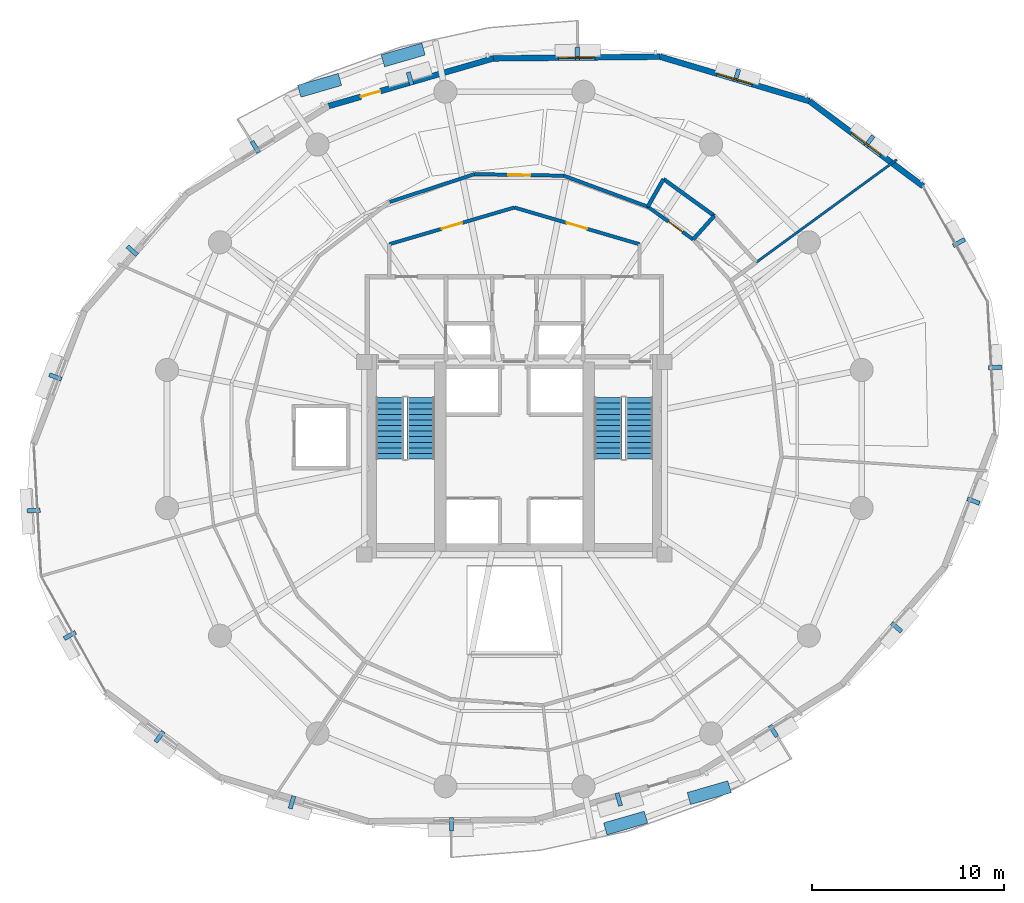
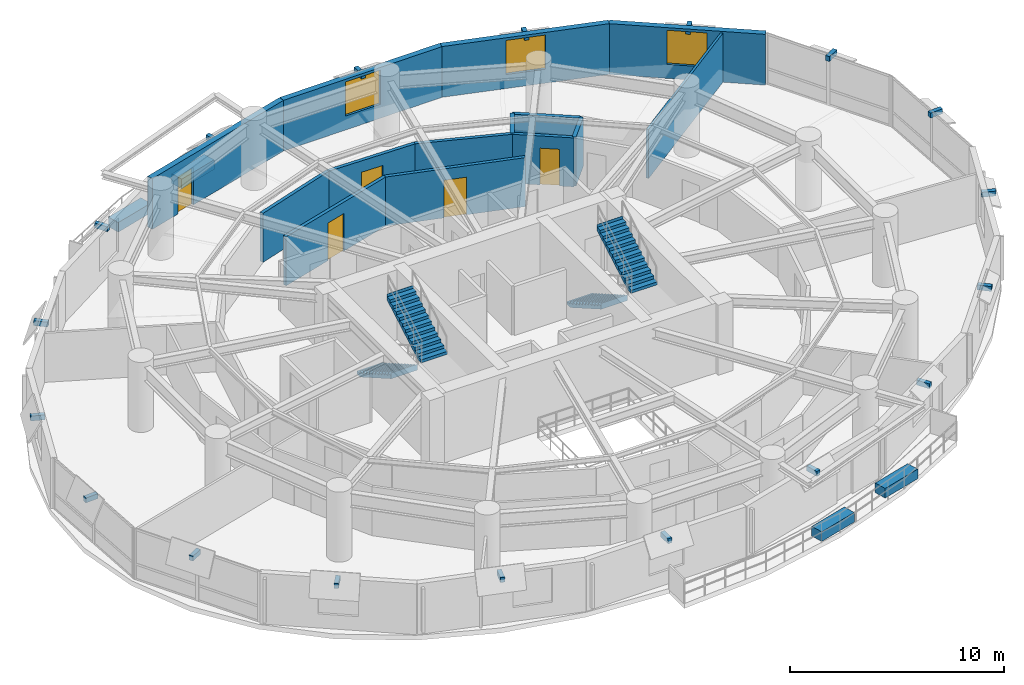
# One storey, part 12 of 15: 22 discrete accessories, 14 walls, 5 doors, 4 stair flights, 3 windows, 8 openings, 2 elements without a shape of their own.
"""IFC4 building model written with IfcOpenShell, lengths in metres."""

from ifc_helpers import new_model, si_unit, direction, frame, frame_2d, origin, origin_2d, place, context, subcontext, project, spatial, polyline, rectangle, outline, extrude, material, layer, layer_set, type_object, element, fill, aggregate, save


model = new_model("IFC4")

# Units and contexts
model_context = context("Model", 3, precision=1e-05, world=origin(), true_north=direction((0.0, 1.0)))
body_context = subcontext(model_context, "Body", "Model", "MODEL_VIEW")
ifc_project = project(units=[si_unit("LENGTHUNIT", "METRE"), si_unit("AREAUNIT", "SQUARE_METRE"), si_unit("VOLUMEUNIT", "CUBIC_METRE"), si_unit("PLANEANGLEUNIT", "RADIAN"), si_unit("MASSUNIT", "GRAM", prefix="KILO"), si_unit("THERMODYNAMICTEMPERATUREUNIT", "KELVIN"), si_unit("POWERUNIT", "WATT")], contexts=[model_context])

# Site, building, storey
site_placement = place(None, origin())
site = spatial("IfcSite", under=ifc_project, at=site_placement, CompositionType="ELEMENT")
building_placement = place(site_placement, origin())
building = spatial("IfcBuilding", under=site, at=building_placement, Name="Ocrelia Relay Tower", CompositionType="ELEMENT")
storey_placement = place(building_placement, frame((0.0, 0.0, 101.800048828125)))
storey = spatial("IfcBuildingStorey", under=building, at=storey_placement, Name="L23", CompositionType="ELEMENT", Elevation=101.800048828125)

# Wall, opening, door
ifc_material_1 = material(Name="Gypsum Fireboard Partition EI60", Category="gypsum")
ifc_layer_1 = layer(ifc_material_1, 0.179931640625, Name="Gypsum Fireboard Partition EI60")
ifc_layer_set_1 = layer_set([ifc_layer_1], Name="Gypsum Fireboard Partition EI60")
wall_type_1 = type_object("IfcWallType", Name="W-CORR-EI60-180", PredefinedType="PARTITIONING", material=ifc_layer_set_1)
wall_1_placement = place(storey_placement, frame((27.5, 36.122802734375, 0.0), z_axis=(0.0, 0.0, 1.0), x_axis=(0.959546654541, 0.281549671923, 0.0)))
wall_1 = element("IfcWall", 1, at=wall_1_placement, inside=storey, type_object=wall_type_1, Name="L23 North Smoke Lobby W Screen Wall", PredefinedType="PARTITIONING", context=body_context, shape_type="SweptSolid", body=[
    extrude(rectangle(XDim=6.77392578125, YDim=0.179931640625, at=frame_2d((3.386962890625, 0.0))), origin(), (0.0, 0.0, 1.0), 2.800048828125),
])
opening_1_placement = place(wall_1_placement, frame((2.8369140625, 0.0, 0.0)))
opening_1 = element("IfcOpeningElement", 2, at=opening_1_placement, cuts=wall_1, Name="Opening D-FD60", PredefinedType="OPENING", context=body_context, shape_type="SweptSolid", body=[
    extrude(rectangle(XDim=1.10009765625, YDim=2.14990234375, at=frame_2d((0.550048828125, 1.074951171875))), frame((0.0, 0.10009765625, 0.0), z_axis=(0.0, -1.0, 0.0), x_axis=(1.0, 0.0, 0.0)), (0.0, 0.0, 1.0), 0.199951171875),
])
ifc_material_2 = material(Name="Timber-core 60-min acoustic fire door", Category="wood")
door_type_1 = type_object("IfcDoorType", Name="DR-LOBBY-FD60-1100", OperationType="NOTDEFINED", PredefinedType="DOOR", material=ifc_material_2)
door_1_placement = place(opening_1_placement, origin())
door_1 = element("IfcDoor", 3, at=door_1_placement, inside=storey, type_object=door_type_1, Name="L23 North Smoke Lobby W Fire Door", OperationType="SINGLE_SWING_LEFT", OverallHeight=2.14990234375, OverallWidth=1.10009765625, PredefinedType="DOOR", context=body_context, shape_type="SweptSolid", body=[
    extrude(rectangle(XDim=1.10009765625, YDim=2.14990234375, at=frame_2d((0.550048828125, 1.074951171875))), frame((0.0, 0.02490234375, 0.0), z_axis=(0.0, -1.0, 0.0), x_axis=(1.0, 0.0, 0.0)), (0.0, 0.0, 1.0), 0.050048828125),
])
fill(opening_1, door_1)

wall_2_placement = place(storey_placement, frame((34.0, 38.030029296875, 0.0), z_axis=(0.0, 0.0, 1.0), x_axis=(0.959546654541, -0.281549671923, 0.0)))
wall_2 = element("IfcWall", 4, at=wall_2_placement, inside=storey, type_object=wall_type_1, Name="L23 North Smoke Lobby E Screen Wall", PredefinedType="PARTITIONING", context=body_context, shape_type="SweptSolid", body=[
    extrude(rectangle(XDim=6.77392578125, YDim=0.179931640625, at=frame_2d((3.386962890625, 0.0))), origin(), (0.0, 0.0, 1.0), 2.800048828125),
])
opening_2_placement = place(wall_2_placement, frame((2.8369140625, 0.0, 0.0)))
opening_2 = element("IfcOpeningElement", 5, at=opening_2_placement, cuts=wall_2, Name="Opening D-FD60", PredefinedType="OPENING", context=body_context, shape_type="SweptSolid", body=[
    extrude(rectangle(XDim=1.10009765625, YDim=2.14990234375, at=frame_2d((0.550048828125, 1.074951171875))), frame((0.0, 0.10009765625, 0.0), z_axis=(0.0, -1.0, 0.0), x_axis=(1.0, 0.0, 0.0)), (0.0, 0.0, 1.0), 0.199951171875),
])
door_2_placement = place(opening_2_placement, origin())
door_2 = element("IfcDoor", 6, at=door_2_placement, inside=storey, type_object=door_type_1, Name="L23 North Smoke Lobby E Fire Door", OperationType="SINGLE_SWING_RIGHT", OverallHeight=2.14990234375, OverallWidth=1.10009765625, PredefinedType="DOOR", context=body_context, shape_type="SweptSolid", body=[
    extrude(rectangle(XDim=1.10009765625, YDim=2.14990234375, at=frame_2d((0.550048828125, 1.074951171875))), frame((0.0, 0.02490234375, 0.0), z_axis=(0.0, -1.0, 0.0), x_axis=(1.0, 0.0, 0.0)), (0.0, 0.0, 1.0), 0.050048828125),
])
fill(opening_2, door_2)

wall_3_placement = place(storey_placement, frame((43.287109375, 36.368896484375, 0.0), z_axis=(0.0, 0.0, 1.0), x_axis=(-0.81053540368, 0.585689644249, 0.0)))
wall_3 = element("IfcWall", 7, at=wall_3_placement, inside=storey, type_object=wall_type_1, Name="L23 Accessible Toilet Corridor Wall", PredefinedType="PARTITIONING", context=body_context, shape_type="SweptSolid", body=[
    extrude(rectangle(XDim=2.909912109375, YDim=0.179931640625, at=frame_2d((1.455078125, 0.0))), origin(), (0.0, 0.0, 1.0), 2.800048828125),
])
opening_3_placement = place(wall_3_placement, frame((0.6689453125, 0.0, 0.0)))
opening_3 = element("IfcOpeningElement", 8, at=opening_3_placement, cuts=wall_3, Name="Opening D-WC92", PredefinedType="OPENING", context=body_context, shape_type="SweptSolid", body=[
    extrude(rectangle(XDim=0.919921875, YDim=2.10009765625, at=frame_2d((0.4599609375, 1.050048828125))), frame((0.0, 0.10009765625, 0.0), z_axis=(0.0, -1.0, 0.0), x_axis=(1.0, 0.0, 0.0)), (0.0, 0.0, 1.0), 0.199951171875),
])
ifc_material_3 = material(Name="Laminate washroom door", Category="wood")
door_type_2 = type_object("IfcDoorType", Name="DR-WC-920", OperationType="NOTDEFINED", PredefinedType="DOOR", material=ifc_material_3)
door_3_placement = place(opening_3_placement, origin())
door_3 = element("IfcDoor", 9, at=door_3_placement, inside=storey, type_object=door_type_2, Name="L23 Accessible Toilet Door", OperationType="SINGLE_SWING_RIGHT", OverallHeight=2.10009765625, OverallWidth=0.919921875, PredefinedType="DOOR", context=body_context, shape_type="SweptSolid", body=[
    extrude(rectangle(XDim=0.919921875, YDim=2.10009765625, at=frame_2d((0.4599609375, 1.050048828125))), frame((0.0, 0.02490234375, 0.0), z_axis=(0.0, -1.0, 0.0), x_axis=(1.0, 0.0, 0.0)), (0.0, 0.0, 1.0), 0.050048828125),
])
fill(opening_3, door_3)

# Wall
wall_4_placement = place(storey_placement, frame((40.928466796875, 38.0732421875, 0.0), z_axis=(0.0, 0.0, 1.0), x_axis=(-0.93819579776, 0.346104962496, 0.0)))
element("IfcWall", 10, at=wall_4_placement, inside=storey, type_object=wall_type_1, Name="L23 Optical Switching Hall A Corridor Partition 1", PredefinedType="PARTITIONING", context=body_context, shape_type="SweptSolid", body=[
    extrude(rectangle(XDim=4.642822265625, YDim=0.179931640625, at=frame_2d((2.3212890625, 0.0))), origin(), (0.0, 0.0, 1.0), 2.800048828125),
])

# Wall, opening, door
wall_5_placement = place(storey_placement, frame((36.572509765625, 39.68017578125, 0.0), z_axis=(0.0, 0.0, 1.0), x_axis=(-0.999831591441, 0.01835180527, 0.0)))
wall_5 = element("IfcWall", 11, at=wall_5_placement, inside=storey, type_object=wall_type_1, Name="L23 Optical Switching Hall A Corridor Partition 2", PredefinedType="PARTITIONING", context=body_context, shape_type="SweptSolid", body=[
    extrude(rectangle(XDim=4.642822265625, YDim=0.179931640625, at=frame_2d((2.3212890625, 0.0))), origin(), (0.0, 0.0, 1.0), 2.800048828125),
])
opening_4_placement = place(wall_5_placement, frame((1.746337890625, 0.0, 0.0)))
opening_4 = element("IfcOpeningElement", 12, at=opening_4_placement, cuts=wall_5, Name="Opening D-RM115", PredefinedType="OPENING", context=body_context, shape_type="SweptSolid", body=[
    extrude(rectangle(XDim=1.14990234375, YDim=2.14990234375, at=frame_2d((0.574951171875, 1.074951171875))), frame((0.0, 0.10009765625, 0.0), z_axis=(0.0, -1.0, 0.0), x_axis=(1.0, 0.0, 0.0)), (0.0, 0.0, 1.0), 0.199951171875),
])
ifc_material_4 = material(Name="Wide acoustic oak veneer fire door", Category="wood")
door_type_3 = type_object("IfcDoorType", Name="DR-ROOM-1150", OperationType="NOTDEFINED", PredefinedType="DOOR", material=ifc_material_4)
door_4_placement = place(opening_4_placement, origin())
door_4 = element("IfcDoor", 13, at=door_4_placement, inside=storey, type_object=door_type_3, Name="L23 Optical Switching Hall A Entrance Door", OperationType="SINGLE_SWING_LEFT", OverallHeight=2.14990234375, OverallWidth=1.14990234375, PredefinedType="DOOR", context=body_context, shape_type="SweptSolid", body=[
    extrude(rectangle(XDim=1.14990234375, YDim=2.14990234375, at=frame_2d((0.574951171875, 1.074951171875))), frame((0.0, 0.02490234375, 0.0), z_axis=(0.0, -1.0, 0.0), x_axis=(1.0, 0.0, 0.0)), (0.0, 0.0, 1.0), 0.050048828125),
])
fill(opening_4, door_4)

# Wall
wall_6_placement = place(storey_placement, frame((31.930419921875, 39.765380859375, 0.0), z_axis=(0.0, 0.0, 1.0), x_axis=(-0.95024383116, -0.311507080726, 0.0)))
element("IfcWall", 14, at=wall_6_placement, inside=storey, type_object=wall_type_1, Name="L23 Optical Switching Hall A Corridor Partition 3", PredefinedType="PARTITIONING", context=body_context, shape_type="SweptSolid", body=[
    extrude(rectangle(XDim=4.642822265625, YDim=0.179931640625, at=frame_2d((2.3212890625, 0.0))), origin(), (0.0, 0.0, 1.0), 2.800048828125),
])

# Wall, opening, window
ifc_material_5 = material(Name="Precast concrete C40/50 with oxide terracotta", Category="masonry")
ifc_layer_2 = layer(ifc_material_5, 0.300048828125, Name="Precast concrete C40/50 with oxide terracotta")
ifc_layer_set_2 = layer_set([ifc_layer_2], Name="Precast concrete C40/50 with oxide terracotta")
wall_type_2 = type_object("IfcWallType", Name="W-EXT-TERR-300", PredefinedType="SOLIDWALL", material=ifc_layer_set_2)
wall_7_placement = place(storey_placement, frame((55.2421875, 39.13037109375, 0.0), z_axis=(0.0, 0.0, 1.0), x_axis=(-0.80042041599, 0.599439035821, 0.0)))
wall_7 = element("IfcWall", 15, at=wall_7_placement, inside=storey, type_object=wall_type_2, Name="L23 Oxide Terracotta Facade Wall 02", PredefinedType="SOLIDWALL", context=body_context, shape_type="SweptSolid", body=[
    extrude(rectangle(XDim=7.38330078125, YDim=0.300048828125, at=frame_2d((3.691650390625, 0.0))), origin(), (0.0, 0.0, 1.0), 2.89990234375),
])
opening_5_placement = place(wall_7_placement, frame((2.741943359375, 0.0, 0.800048828125)))
opening_5 = element("IfcOpeningElement", 16, at=opening_5_placement, cuts=wall_7, Name="Opening W-06", PredefinedType="OPENING", context=body_context, shape_type="SweptSolid", body=[
    extrude(rectangle(XDim=1.89990234375, YDim=1.949951171875, at=frame_2d((0.949951171875, 0.97509765625))), frame((0.0, 0.16015625, 0.0), z_axis=(0.0, -1.0, 0.0), x_axis=(1.0, 0.0, 0.0)), (0.0, 0.0, 1.0), 0.320068359375),
])
ifc_material_6 = material(Name="Clear double-glazed low-E glass", Category="glass")
window_type = type_object("IfcWindowType", Name="WIN-Z2-1900x2100", PartitioningType="DOUBLE_PANEL_VERTICAL", PredefinedType="WINDOW", material=ifc_material_6)
window_1_placement = place(opening_5_placement, origin())
window_1 = element("IfcWindow", 17, at=window_1_placement, inside=storey, type_object=window_type, Name="L23 Facade Module Window 02", OverallHeight=1.949951171875, OverallWidth=1.89990234375, PartitioningType="SINGLE_PANEL", PredefinedType="WINDOW", context=body_context, shape_type="SweptSolid", body=[
    extrude(rectangle(XDim=1.89990234375, YDim=1.949951171875, at=frame_2d((0.949951171875, 0.97509765625))), frame((0.0, 0.030029296875, 0.0), z_axis=(0.0, -1.0, 0.0), x_axis=(1.0, 0.0, 0.0)), (0.0, 0.0, 1.0), 0.06005859375),
])
fill(opening_5, window_1)

wall_8_placement = place(storey_placement, frame((49.33251953125, 43.55615234375, 0.0), z_axis=(0.0, 0.0, 1.0), x_axis=(-0.958482012245, 0.285152997885, 0.0)))
wall_8 = element("IfcWall", 18, at=wall_8_placement, inside=storey, type_object=wall_type_2, Name="L23 Oxide Terracotta Facade Wall 03", PredefinedType="SOLIDWALL", context=body_context, shape_type="SweptSolid", body=[
    extrude(rectangle(XDim=8.09521484375, YDim=0.300048828125, at=frame_2d((4.047607421875, 0.0))), origin(), (0.0, 0.0, 1.0), 2.89990234375),
])
opening_6_placement = place(wall_8_placement, frame((3.097900390625, 0.0, 0.800048828125)))
opening_6 = element("IfcOpeningElement", 19, at=opening_6_placement, cuts=wall_8, Name="Opening W-06", PredefinedType="OPENING", context=body_context, shape_type="SweptSolid", body=[
    extrude(rectangle(XDim=1.89990234375, YDim=1.949951171875, at=frame_2d((0.949951171875, 0.97509765625))), frame((0.0, 0.16015625, 0.0), z_axis=(0.0, -1.0, 0.0), x_axis=(1.0, 0.0, 0.0)), (0.0, 0.0, 1.0), 0.320068359375),
])
window_2_placement = place(opening_6_placement, origin())
window_2 = element("IfcWindow", 20, at=window_2_placement, inside=storey, type_object=window_type, Name="L23 Facade Module Window 03", OverallHeight=1.949951171875, OverallWidth=1.89990234375, PartitioningType="SINGLE_PANEL", PredefinedType="WINDOW", context=body_context, shape_type="SweptSolid", body=[
    extrude(rectangle(XDim=1.89990234375, YDim=1.949951171875, at=frame_2d((0.949951171875, 0.97509765625))), frame((0.0, 0.030029296875, 0.0), z_axis=(0.0, -1.0, 0.0), x_axis=(1.0, 0.0, 0.0)), (0.0, 0.0, 1.0), 0.06005859375),
])
fill(opening_6, window_2)

wall_9_placement = place(storey_placement, frame((41.573486328125, 45.864501953125, 0.0), z_axis=(0.0, 0.0, 1.0), x_axis=(-0.999949221051, -0.010077465899, 0.0)))
wall_9 = element("IfcWall", 21, at=wall_9_placement, inside=storey, type_object=wall_type_2, Name="L23 Oxide Terracotta Facade Wall 04", PredefinedType="SOLIDWALL", context=body_context, shape_type="SweptSolid", body=[
    extrude(rectangle(XDim=8.673095703125, YDim=0.300048828125, at=frame_2d((4.33642578125, 0.0))), origin(), (0.0, 0.0, 1.0), 2.89990234375),
])
opening_7_placement = place(wall_9_placement, frame((3.385986328125, 0.0, 0.800048828125)))
opening_7 = element("IfcOpeningElement", 22, at=opening_7_placement, cuts=wall_9, Name="Opening W-06", PredefinedType="OPENING", context=body_context, shape_type="SweptSolid", body=[
    extrude(rectangle(XDim=1.89990234375, YDim=1.949951171875, at=frame_2d((0.949951171875, 0.97509765625))), frame((0.0, 0.16015625, 0.0), z_axis=(0.0, -1.0, 0.0), x_axis=(1.0, 0.0, 0.0)), (0.0, 0.0, 1.0), 0.320068359375),
])
window_3_placement = place(opening_7_placement, origin())
window_3 = element("IfcWindow", 23, at=window_3_placement, inside=storey, type_object=window_type, Name="L23 Facade Module Window 04", OverallHeight=1.949951171875, OverallWidth=1.89990234375, PartitioningType="SINGLE_PANEL", PredefinedType="WINDOW", context=body_context, shape_type="SweptSolid", body=[
    extrude(rectangle(XDim=1.89990234375, YDim=1.949951171875, at=frame_2d((0.949951171875, 0.97509765625))), frame((0.0, 0.030029296875, 0.0), z_axis=(0.0, -1.0, 0.0), x_axis=(1.0, 0.0, 0.0)), (0.0, 0.0, 1.0), 0.06005859375),
])
fill(opening_7, window_3)

# Wall, opening, door
wall_10_placement = place(storey_placement, frame((32.90087890625, 45.777099609375, 0.0), z_axis=(0.0, 0.0, 1.0), x_axis=(-0.960531252737, -0.278172091547, 0.0)))
wall_10 = element("IfcWall", 24, at=wall_10_placement, inside=storey, type_object=wall_type_2, Name="L23 Oxide Terracotta Facade Wall 05", PredefinedType="SOLIDWALL", context=body_context, shape_type="SweptSolid", body=[
    extrude(rectangle(XDim=8.890625, YDim=0.300048828125, at=frame_2d((4.4453125, 0.0))), origin(), (0.0, 0.0, 1.0), 2.89990234375),
])
opening_8_placement = place(wall_10_placement, frame((6.110107421875, 0.0, 0.0)))
opening_8 = element("IfcOpeningElement", 25, at=opening_8_placement, cuts=wall_10, Name="Opening DB-105", PredefinedType="OPENING", context=body_context, shape_type="SweptSolid", body=[
    extrude(rectangle(XDim=1.050048828125, YDim=2.14990234375, at=frame_2d((0.52490234375, 1.074951171875))), frame((0.0, 0.16015625, 0.0), z_axis=(0.0, -1.0, 0.0), x_axis=(1.0, 0.0, 0.0)), (0.0, 0.0, 1.0), 0.320068359375),
])
ifc_material_7 = material(Name="Thermally broken aluminium and clear glass", Category="aluminium")
door_type_4 = type_object("IfcDoorType", Name="DR-BALC-1050", OperationType="NOTDEFINED", PredefinedType="DOOR", material=ifc_material_7)
door_5_placement = place(opening_8_placement, origin())
door_5 = element("IfcDoor", 26, at=door_5_placement, inside=storey, type_object=door_type_4, Name="L23 Planted Loggia Balcony Door B1", OperationType="SINGLE_SWING_LEFT", OverallHeight=2.14990234375, OverallWidth=1.050048828125, PredefinedType="DOOR", context=body_context, shape_type="SweptSolid", body=[
    extrude(rectangle(XDim=1.050048828125, YDim=2.14990234375, at=frame_2d((0.52490234375, 1.074951171875))), frame((0.0, 0.02490234375, 0.0), z_axis=(0.0, -1.0, 0.0), x_axis=(1.0, 0.0, 0.0)), (0.0, 0.0, 1.0), 0.050048828125),
])
fill(opening_8, door_5)

# Walls
ifc_material_8 = material(Name="Acoustic Fireboard Partition EI60", Category="gypsum")
ifc_layer_3 = layer(ifc_material_8, 0.125, Name="Acoustic Fireboard Partition EI60")
ifc_layer_set_3 = layer_set([ifc_layer_3], Name="Acoustic Fireboard Partition EI60")
wall_type_3 = type_object("IfcWallType", Name="W-PART-125", PredefinedType="PARTITIONING", material=ifc_layer_set_3)
wall_11_placement = place(storey_placement, frame((46.572509765625, 35.184814453125, 0.0), z_axis=(0.0, 0.0, 1.0), x_axis=(0.807463902346, 0.589916982641, 0.0)))
element("IfcWall", 27, at=wall_11_placement, inside=storey, type_object=wall_type_3, Name="L23 Optical Switching Hall A Radial Partition", PredefinedType="PARTITIONING", context=body_context, shape_type="SweptSolid", body=[
    extrude(rectangle(XDim=9.0341796875, YDim=0.125, at=frame_2d((4.51708984375, 0.0))), origin(), (0.0, 0.0, 1.0), 2.800048828125),
])
ifc_material_9 = material(Name="Moisture-Resistant Fireboard Chase Wall EI60", Category="gypsum")
ifc_layer_4 = layer(ifc_material_9, 0.199951171875, Name="Moisture-Resistant Fireboard Chase Wall EI60")
ifc_layer_set_4 = layer_set([ifc_layer_4], Name="Moisture-Resistant Fireboard Chase Wall EI60")
wall_type_4 = type_object("IfcWallType", Name="W-PLUMB-200", PredefinedType="PLUMBINGWALL", material=ifc_layer_set_4)
wall_12_placement = place(storey_placement, frame((43.287109375, 36.368896484375, 0.0), z_axis=(0.0, 0.0, 1.0), x_axis=(0.667197013262, 0.744881296244, 0.0)))
element("IfcWall", 28, at=wall_12_placement, inside=storey, type_object=wall_type_4, Name="L23 Staff Toilet Plumbing Radial Wall", PredefinedType="PLUMBINGWALL", context=body_context, shape_type="SweptSolid", body=[
    extrude(rectangle(XDim=1.64990234375, YDim=0.199951171875, at=frame_2d((0.824951171875, 0.0))), origin(), (0.0, 0.0, 1.0), 2.800048828125),
])
wall_13_placement = place(storey_placement, frame((40.928466796875, 38.0732421875, 0.0), z_axis=(0.0, 0.0, 1.0), x_axis=(0.497731499238, 0.867331167817, 0.0)))
element("IfcWall", 29, at=wall_13_placement, inside=storey, type_object=wall_type_4, Name="L23 Accessible Toilet Plumbing Radial Wall", PredefinedType="PLUMBINGWALL", context=body_context, shape_type="SweptSolid", body=[
    extrude(rectangle(XDim=1.650146484375, YDim=0.199951171875, at=frame_2d((0.8251953125, 0.0))), origin(), (0.0, 0.0, 1.0), 2.800048828125),
])
wall_14_placement = place(storey_placement, frame((44.387939453125, 37.597900390625, 0.0), z_axis=(0.0, 0.0, 1.0), x_axis=(-0.810513057076, 0.585720568453, 0.0)))
element("IfcWall", 30, at=wall_14_placement, inside=storey, type_object=wall_type_4, Name="L23 Accessible Toilet Back Plumbing Wall", PredefinedType="PLUMBINGWALL", context=body_context, shape_type="SweptSolid", body=[
    extrude(rectangle(XDim=3.2548828125, YDim=0.199951171875, at=frame_2d((1.62744140625, 0.0))), origin(), (0.0, 0.0, 1.0), 2.800048828125),
])

# Stair, stair flights
ifc_material_10 = material(Name="Concrete C50/60", Category="concrete")
stair_type = type_object("IfcStairType", Name="ST-DL-1420-R167", PredefinedType="HALF_TURN_STAIR", material=ifc_material_10)
stair_1_placement = place(storey_placement, origin())
stair_1 = element("IfcStair", 31, at=stair_1_placement, inside=storey, type_object=stair_type, Name="L23 West Core Exit Stair ST1", PredefinedType="HALF_TURN_STAIR")
stair_flight_type = type_object("IfcStairFlightType", Name="STF-DL-1420-R167", PredefinedType="STRAIGHT", material=ifc_material_10)
stair_flight_1_placement = place(storey_placement, frame((27.52001953125, 28.14990234375, 0.0), z_axis=(0.0, 0.0, 1.0), x_axis=(0.0, -1.0, 0.0)))
stair_flight_1 = element("IfcStairFlight", 32, at=stair_flight_1_placement, type_object=stair_flight_type, Name="ST1 flight 1", NumberOfRisers=12, NumberOfTreads=11, PredefinedType="STRAIGHT", RiserHeight=0.166666667, TreadLength=0.29, context=body_context, shape_type="SweptSolid", body=[
    extrude(outline(polyline([(-0.008056640625, 0.0), (-0.008056640625, 0.166748046875), (0.0, 0.166748046875), (0.2900390625, 0.166748046875), (0.2900390625, 0.333251953125), (0.580078125, 0.333251953125), (0.580078125, 0.5), (0.8701171875, 0.5), (0.8701171875, 0.666748046875), (1.159912109375, 0.666748046875), (1.159912109375, 0.833251953125), (1.449951171875, 0.833251953125), (1.449951171875, 1.0), (1.739990234375, 1.0), (1.739990234375, 1.166748046875), (2.030029296875, 1.166748046875), (2.030029296875, 1.333251953125), (2.320068359375, 1.333251953125), (2.320068359375, 1.5), (2.610107421875, 1.5), (2.610107421875, 1.666748046875), (2.89990234375, 1.666748046875), (2.89990234375, 1.833251953125), (3.18994140625, 1.833251953125), (3.18994140625, 2.0), (3.197998046875, 2.0), (3.197998046875, 1.660400390625), (0.30078125, 0.0), (-0.008056640625, 0.0)])), frame((0.0, 0.7099609375, 0.0), z_axis=(0.0, -1.0, 0.0), x_axis=(1.0, 0.0, 0.0)), (0.0, 0.0, 1.0), 1.419921875),
])
stair_flight_2_placement = place(storey_placement, frame((29.139892578125, 24.9599609375, 2.0), z_axis=(0.0, 0.0, 1.0), x_axis=(0.0, 1.0, 0.0)))
stair_flight_2 = element("IfcStairFlight", 33, at=stair_flight_2_placement, type_object=stair_flight_type, Name="ST1 flight 2", NumberOfRisers=12, NumberOfTreads=11, PredefinedType="STRAIGHT", RiserHeight=0.166666667, TreadLength=0.29, context=body_context, shape_type="SweptSolid", body=[
    extrude(outline(polyline([(-0.008056640625, 0.0), (-0.008056640625, 0.166748046875), (0.0, 0.166748046875), (0.2900390625, 0.166748046875), (0.2900390625, 0.333251953125), (0.580078125, 0.333251953125), (0.580078125, 0.5), (0.8701171875, 0.5), (0.8701171875, 0.666748046875), (1.159912109375, 0.666748046875), (1.159912109375, 0.833251953125), (1.449951171875, 0.833251953125), (1.449951171875, 1.0), (1.739990234375, 1.0), (1.739990234375, 1.166748046875), (2.030029296875, 1.166748046875), (2.030029296875, 1.333251953125), (2.320068359375, 1.333251953125), (2.320068359375, 1.5), (2.610107421875, 1.5), (2.610107421875, 1.666748046875), (2.89990234375, 1.666748046875), (2.89990234375, 1.833251953125), (3.18994140625, 1.833251953125), (3.18994140625, 2.0), (3.197998046875, 2.0), (3.197998046875, 1.660400390625), (0.30078125, 0.0), (-0.008056640625, 0.0)])), frame((0.0, 0.7099609375, 0.0), z_axis=(0.0, -1.0, 0.0), x_axis=(1.0, 0.0, 0.0)), (0.0, 0.0, 1.0), 1.419921875),
])
aggregate(stair_1, [stair_flight_1, stair_flight_2])

stair_2_placement = place(storey_placement, origin())
stair_2 = element("IfcStair", 34, at=stair_2_placement, inside=storey, type_object=stair_type, Name="L23 East Core Exit Stair ST2", PredefinedType="HALF_TURN_STAIR")
stair_flight_3_placement = place(storey_placement, frame((38.8701171875, 28.14990234375, 0.0), z_axis=(0.0, 0.0, 1.0), x_axis=(0.0, -1.0, 0.0)))
stair_flight_3 = element("IfcStairFlight", 35, at=stair_flight_3_placement, type_object=stair_flight_type, Name="ST2 flight 1", NumberOfRisers=12, NumberOfTreads=11, PredefinedType="STRAIGHT", RiserHeight=0.166666667, TreadLength=0.29, context=body_context, shape_type="SweptSolid", body=[
    extrude(outline(polyline([(-0.008056640625, 0.0), (-0.008056640625, 0.166748046875), (0.0, 0.166748046875), (0.2900390625, 0.166748046875), (0.2900390625, 0.333251953125), (0.580078125, 0.333251953125), (0.580078125, 0.5), (0.8701171875, 0.5), (0.8701171875, 0.666748046875), (1.159912109375, 0.666748046875), (1.159912109375, 0.833251953125), (1.449951171875, 0.833251953125), (1.449951171875, 1.0), (1.739990234375, 1.0), (1.739990234375, 1.166748046875), (2.030029296875, 1.166748046875), (2.030029296875, 1.333251953125), (2.320068359375, 1.333251953125), (2.320068359375, 1.5), (2.610107421875, 1.5), (2.610107421875, 1.666748046875), (2.89990234375, 1.666748046875), (2.89990234375, 1.833251953125), (3.18994140625, 1.833251953125), (3.18994140625, 2.0), (3.197998046875, 2.0), (3.197998046875, 1.660400390625), (0.30078125, 0.0), (-0.008056640625, 0.0)])), frame((0.0, 0.7099609375, 0.0), z_axis=(0.0, -1.0, 0.0), x_axis=(1.0, 0.0, 0.0)), (0.0, 0.0, 1.0), 1.419921875),
])
stair_flight_4_placement = place(storey_placement, frame((40.489990234375, 24.9599609375, 2.0), z_axis=(0.0, 0.0, 1.0), x_axis=(0.0, 1.0, 0.0)))
stair_flight_4 = element("IfcStairFlight", 36, at=stair_flight_4_placement, type_object=stair_flight_type, Name="ST2 flight 2", NumberOfRisers=12, NumberOfTreads=11, PredefinedType="STRAIGHT", RiserHeight=0.166666667, TreadLength=0.29, context=body_context, shape_type="SweptSolid", body=[
    extrude(outline(polyline([(-0.008056640625, 0.0), (-0.008056640625, 0.166748046875), (0.0, 0.166748046875), (0.2900390625, 0.166748046875), (0.2900390625, 0.333251953125), (0.580078125, 0.333251953125), (0.580078125, 0.5), (0.8701171875, 0.5), (0.8701171875, 0.666748046875), (1.159912109375, 0.666748046875), (1.159912109375, 0.833251953125), (1.449951171875, 0.833251953125), (1.449951171875, 1.0), (1.739990234375, 1.0), (1.739990234375, 1.166748046875), (2.030029296875, 1.166748046875), (2.030029296875, 1.333251953125), (2.320068359375, 1.333251953125), (2.320068359375, 1.5), (2.610107421875, 1.5), (2.610107421875, 1.666748046875), (2.89990234375, 1.666748046875), (2.89990234375, 1.833251953125), (3.18994140625, 1.833251953125), (3.18994140625, 2.0), (3.197998046875, 2.0), (3.197998046875, 1.660400390625), (0.30078125, 0.0), (-0.008056640625, 0.0)])), frame((0.0, 0.7099609375, 0.0), z_axis=(0.0, -1.0, 0.0), x_axis=(1.0, 0.0, 0.0)), (0.0, 0.0, 1.0), 1.419921875),
])
aggregate(stair_2, [stair_flight_3, stair_flight_4])

# Discrete accessories
ifc_material_11 = material(Name="Precast concrete C40/50 planter with highland greenery", Category="concrete")
discrete_accessory_type_1 = type_object("IfcDiscreteAccessoryType", Name="ACC-BALC-PLANTER", PredefinedType="USERDEFINED", material=ifc_material_11)
for number, where, z_axis, x_axis, name in (
    (37, (28.220703125, 45.95751953125, 0.0), (0.0, 0.0, 1.0), (0.960535145791, 0.278158648436, 0.0), "L23 Balcony Terracotta Planter with Greenery B1"),
    (38, (23.877197265625, 44.377197265625, 0.0), (0.0, 0.0, 1.0), (0.960535145791, 0.278158648436, 0.0), "L23 Balcony Terracotta Planter B1-2"),
    (39, (39.779296875, 6.04248046875, 0.0), (0.0, 0.0, 1.0), (-0.960535145791, -0.278158648436, 0.0), "L23 Balcony Terracotta Planter with Greenery B2"),
    (40, (44.122802734375, 7.622802734375, 0.0), (0.0, 0.0, 1.0), (-0.960535145791, -0.278158648436, 0.0), "L23 Balcony Terracotta Planter B2-2"),
):
    element("IfcDiscreteAccessory", number, at=place(storey_placement, frame(where, z_axis=z_axis, x_axis=x_axis)), inside=storey, type_object=discrete_accessory_type_1, Name=name, ObjectType="PLANTER", PredefinedType="USERDEFINED", context=body_context, shape_type="SweptSolid", body=[
        extrude(rectangle(XDim=2.199951171875, YDim=0.64990234375, at=origin_2d()), origin(), (0.0, 0.0, 1.0), 0.550048828125),
    ])
ifc_material_12 = material(Name="Steel S355", Category="steel")
discrete_accessory_type_2 = type_object("IfcDiscreteAccessoryType", Name="ACC-VISOR-BRACKET", PredefinedType="BRACKET", material=ifc_material_12)
for number, where, z_axis, x_axis, name in (
    (41, (57.098876953125, 36.206298828125, 2.60009765625), (0.0, 0.0, 1.0), (-0.486623868273, 0.873611590369, 0.0), "L23 Visor Mounting Bracket 01"),
    (42, (52.440673828125, 41.4716796875, 2.60009765625), (0.0, 0.0, 1.0), (-0.800414257869, 0.599447258564, 0.0), "L23 Visor Mounting Bracket 02"),
    (43, (45.557373046875, 44.881103515625, 2.60009765625), (0.0, 0.0, 1.0), (-0.958479977376, 0.285159837581, 0.0), "L23 Visor Mounting Bracket 03"),
    (44, (37.26953125, 46.018310546875, 2.60009765625), (0.0, 0.0, 1.0), (-0.999948989877, -0.010100378382, 0.0), "L23 Visor Mounting Bracket 04"),
    (45, (28.575439453125, 44.732666015625, 2.60009765625), (0.0, 0.0, 1.0), (-0.960536510683, -0.27815393516, 0.0), "L23 Visor Mounting Bracket 05"),
    (46, (20.539794921875, 41.173583984375, 2.60009765625), (0.0, 0.0, 1.0), (-0.850619040717, -0.525782509761, 0.0), "L23 Visor Mounting Bracket 06"),
    (47, (14.141845703125, 35.78369140625, 2.60009765625), (0.0, 0.0, 1.0), (-0.657794171165, -0.753197735247, 0.0), "L23 Visor Mounting Bracket 07"),
    (48, (10.1455078125, 29.22412109375, 2.60009765625), (0.0, 0.0, 1.0), (-0.356237500626, -0.934395442598, 0.0), "L23 Visor Mounting Bracket 08"),
    (49, (9.021484375, 22.2841796875, 2.60009765625), (0.0, 0.0, 1.0), (0.055486927026, -0.998459413762, 0.0), "L23 Visor Mounting Bracket 09"),
    (50, (10.901123046875, 15.793701171875, 2.60009765625), (0.0, 0.0, 1.0), (0.486623868273, -0.873611590369, 0.0), "L23 Visor Mounting Bracket 10"),
    (51, (15.559326171875, 10.5283203125, 2.60009765625), (0.0, 0.0, 1.0), (0.800414257869, -0.599447258564, 0.0), "L23 Visor Mounting Bracket 11"),
    (52, (22.442626953125, 7.118896484375, 2.60009765625), (0.0, 0.0, 1.0), (0.958479977376, -0.285159837581, 0.0), "L23 Visor Mounting Bracket 12"),
    (53, (30.73046875, 5.981689453125, 2.60009765625), (0.0, 0.0, 1.0), (0.999948989877, 0.010100378382, 0.0), "L23 Visor Mounting Bracket 13"),
    (54, (39.424560546875, 7.267333984375, 2.60009765625), (0.0, 0.0, 1.0), (0.960536510683, 0.27815393516, 0.0), "L23 Visor Mounting Bracket 14"),
    (55, (47.460205078125, 10.826416015625, 2.60009765625), (0.0, 0.0, 1.0), (0.850619040717, 0.525782509761, 0.0), "L23 Visor Mounting Bracket 15"),
    (56, (53.858154296875, 16.21630859375, 2.60009765625), (0.0, 0.0, 1.0), (0.657794171165, 0.753197735247, 0.0), "L23 Visor Mounting Bracket 16"),
    (57, (57.8544921875, 22.77587890625, 2.60009765625), (0.0, 0.0, 1.0), (0.356237500626, 0.934395442598, 0.0), "L23 Visor Mounting Bracket 17"),
    (58, (58.978515625, 29.7158203125, 2.60009765625), (0.0, 0.0, 1.0), (-0.055486927026, 0.998459413762, 0.0), "L23 Visor Mounting Bracket 18"),
):
    element("IfcDiscreteAccessory", number, at=place(storey_placement, frame(where, z_axis=z_axis, x_axis=x_axis)), inside=storey, type_object=discrete_accessory_type_2, Name=name, PredefinedType="BRACKET", context=body_context, shape_type="SweptSolid", body=[
        extrude(rectangle(XDim=0.219970703125, YDim=0.679931640625, at=origin_2d()), origin(), (0.0, 0.0, 1.0), 0.280029296875),
    ])

save(model, "model.ifc")
